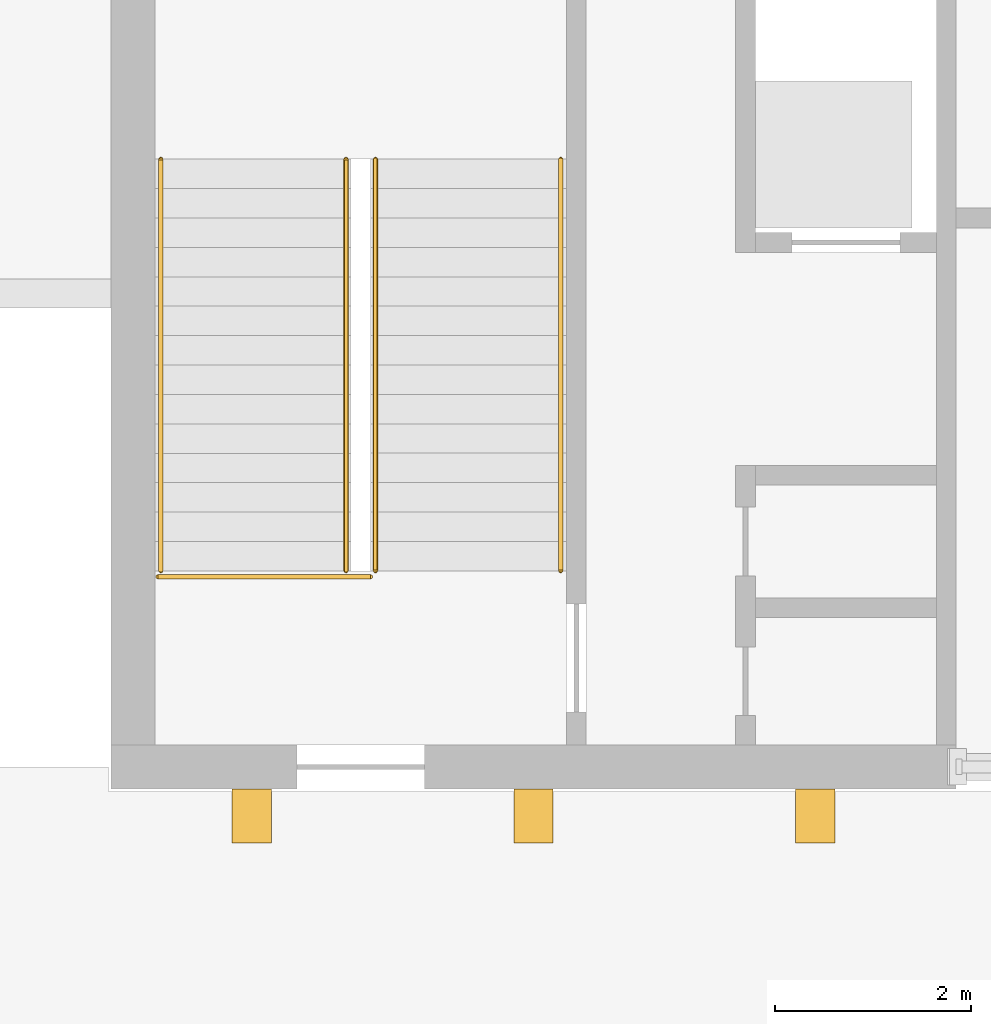
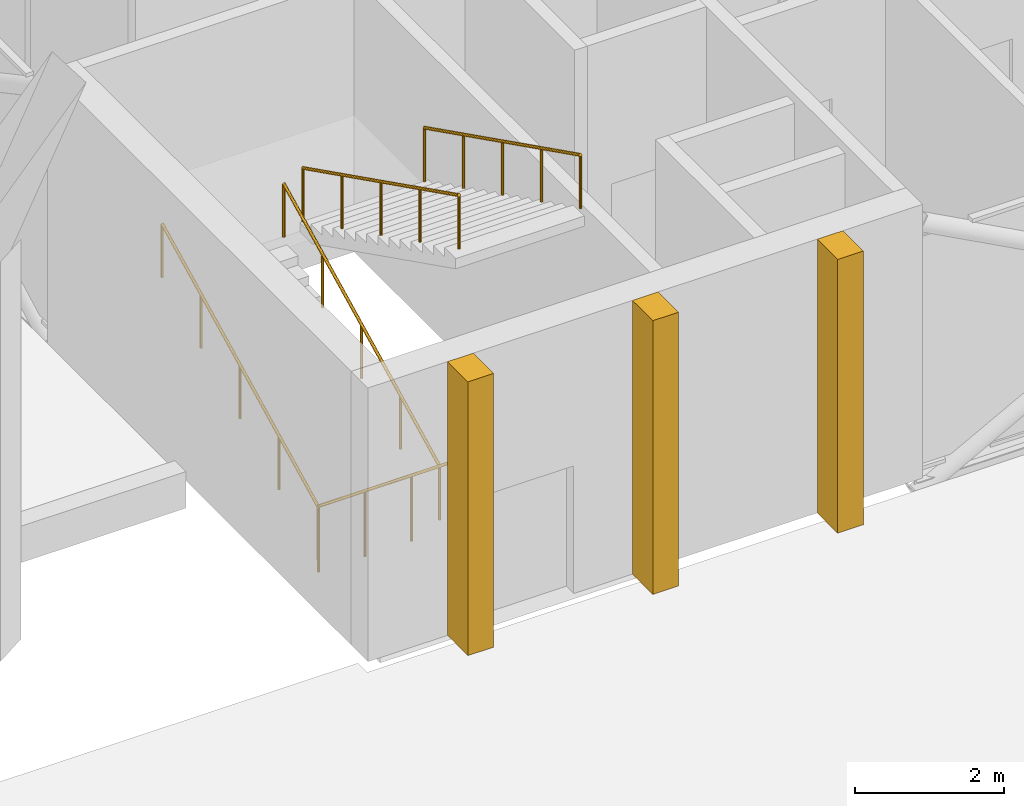
# One storey, part 111 of 116: 5 railings, 3 coverings.
"""IFC4 building model written with IfcOpenShell, lengths in metres."""

from ifc_helpers import new_model, si_unit, direction, frame, origin, origin_2d, place, context, subcontext, project, spatial, rectangle, circle, extrude, material, layer, layer_set, type_object, element, save


model = new_model("IFC4")

# Units and contexts
model_context = context("Model", 3, precision=1e-05, world=origin(), true_north=direction((0.0, 1.0)))
body_context = subcontext(model_context, "Body", "Model", "MODEL_VIEW")
ifc_project = project(units=[si_unit("LENGTHUNIT", "METRE"), si_unit("AREAUNIT", "SQUARE_METRE"), si_unit("VOLUMEUNIT", "CUBIC_METRE"), si_unit("PLANEANGLEUNIT", "RADIAN"), si_unit("MASSUNIT", "GRAM", prefix="KILO")], contexts=[model_context])

# Site, building, storey
site_placement = place(None, origin())
site = spatial("IfcSite", under=ifc_project, at=site_placement, CompositionType="ELEMENT")
building_placement = place(site_placement, origin())
building = spatial("IfcBuilding", under=site, at=building_placement, Name="Ardhachandra Cancer Care Centre", CompositionType="ELEMENT")
storey_placement = place(building_placement, origin())
storey = spatial("IfcBuildingStorey", under=building, at=storey_placement, Name="L00", CompositionType="ELEMENT", Elevation=0.0)

# Railing
ifc_material_1 = material(Name="Steel E250 (IS 2062)", Category="steel")
railing_type_1 = type_object("IfcRailingType", Name="Guard 1100", PredefinedType="GUARDRAIL", material=ifc_material_1)
railing_placement = place(storey_placement, frame((111.85498046875, 31.340087890625, 0.0)))
element("IfcRailing", 1, at=railing_placement, inside=storey, type_object=railing_type_1, Name="Stair well guard K11 L00", PredefinedType="GUARDRAIL", context=body_context, shape_type="SweptSolid", body=[
    extrude(circle(Radius=0.02392578125, at=origin_2d()), frame((0.0, 0.0, 1.076171875), z_axis=(1.0, 0.0, 0.0), x_axis=(0.0, 1.0, 0.0)), (0.0, 0.0, 1.0), 2.169921875),
    extrude(circle(Radius=0.02099609375, at=origin_2d()), origin(), (0.0, 0.0, 1.0), 1.052001953125),
    extrude(circle(Radius=0.02099609375, at=origin_2d()), frame((0.723388671875, 0.0, 0.0)), (0.0, 0.0, 1.0), 1.052001953125),
    extrude(circle(Radius=0.02099609375, at=origin_2d()), frame((1.446533203125, 0.0, 0.0)), (0.0, 0.0, 1.0), 1.052001953125),
    extrude(circle(Radius=0.02099609375, at=origin_2d()), frame((2.169921875, 0.0, 0.0)), (0.0, 0.0, 1.0), 1.052001953125),
])

# Coverings
ifc_material_2 = material(Name="Precast Concrete M25", Category="concrete")
ifc_layer = layer(ifc_material_2, 0.39990234375)
ifc_layer_set = layer_set([ifc_layer], Name="Precast Concrete M25")
covering_type = type_object("IfcCoveringType", Name="Precast concrete fin 400 x 550", PredefinedType="CLADDING", material=ifc_layer_set)
for number, where, z_axis, x_axis, name in (
    (2, (112.8125, 28.89990234375, 0.0), (0.0, 0.0, 1.0), (1.0, 0.0, 0.0), "Fin L00 core K11 1"),
    (3, (115.6875, 28.89990234375, 0.0), (0.0, 0.0, 1.0), (1.0, 0.0, 0.0), "Fin L00 core K11 2"),
    (4, (118.5625, 28.89990234375, 0.0), (0.0, 0.0, 1.0), (1.0, 0.0, 0.0), "Fin L00 core K11 3"),
):
    element("IfcCovering", number, at=place(storey_placement, frame(where, z_axis=z_axis, x_axis=x_axis)), inside=storey, type_object=covering_type, Name=name, PredefinedType="CLADDING", context=body_context, shape_type="SweptSolid", body=[
        extrude(rectangle(XDim=0.39990234375, YDim=0.550048828125, at=origin_2d()), origin(), (0.0, 0.0, 1.0), 4.5),
    ])

# Railings
ifc_material_3 = material(Name="Steel E250 (IS 2062)", Category="steel")
railing_type_2 = type_object("IfcRailingType", Name="Stair handrail 900", PredefinedType="HANDRAIL", material=ifc_material_3)
for number, where, name in (
    (5, (111.885009765625, 31.39990234375, 0.14990234375), "Handrail K11 L00-L01 flight 1 wall side"),
    (6, (113.77490234375, 31.39990234375, 0.14990234375), "Handrail K11 L00-L01 flight 1 well side"),
):
    element("IfcRailing", number, at=place(storey_placement, frame(where)), inside=storey, type_object=railing_type_2, Name=name, PredefinedType="HANDRAIL", context=body_context, shape_type="SweptSolid", body=[
        extrude(circle(Radius=0.02392578125, at=origin_2d()), frame((0.0, 0.0, 0.8759765625), z_axis=(0.0, 0.894427191, 0.4472135955), x_axis=(-1.0, 0.0, 0.0)), (0.0, 0.0, 1.0), 4.696044921875),
        extrude(circle(Radius=0.02099609375, at=origin_2d()), origin(), (0.0, 0.0, 1.0), 0.851806640625),
        extrude(circle(Radius=0.02099609375, at=origin_2d()), frame((0.0, 1.050048828125, 0.52490234375)), (0.0, 0.0, 1.0), 0.851806640625),
        extrude(circle(Radius=0.02099609375, at=origin_2d()), frame((0.0, 2.10009765625, 1.050048828125)), (0.0, 0.0, 1.0), 0.851806640625),
        extrude(circle(Radius=0.02099609375, at=origin_2d()), frame((0.0, 3.150146484375, 1.5751953125)), (0.0, 0.0, 1.0), 0.851806640625),
        extrude(circle(Radius=0.02099609375, at=origin_2d()), frame((0.0, 4.2001953125, 2.10009765625)), (0.0, 0.0, 1.0), 0.851806640625),
    ])
for number, where, name in (
    (7, (114.074951171875, 35.60009765625, 2.39990234375), "Handrail K11 L00-L01 flight 2 well side"),
    (8, (115.965087890625, 35.60009765625, 2.39990234375), "Handrail K11 L00-L01 flight 2 wall side"),
):
    element("IfcRailing", number, at=place(storey_placement, frame(where)), inside=storey, type_object=railing_type_2, Name=name, PredefinedType="HANDRAIL", context=body_context, shape_type="SweptSolid", body=[
        extrude(circle(Radius=0.02392578125, at=origin_2d()), frame((0.0, 0.0, 0.8759765625), z_axis=(0.0, -0.894427191, 0.4472135955), x_axis=(1.0, 0.0, 0.0)), (0.0, 0.0, 1.0), 4.696044921875),
        extrude(circle(Radius=0.02099609375, at=origin_2d()), origin(), (0.0, 0.0, 1.0), 0.851806640625),
        extrude(circle(Radius=0.02099609375, at=origin_2d()), frame((0.0, -1.050048828125, 0.52490234375)), (0.0, 0.0, 1.0), 0.851806640625),
        extrude(circle(Radius=0.02099609375, at=origin_2d()), frame((0.0, -2.10009765625, 1.050048828125)), (0.0, 0.0, 1.0), 0.851806640625),
        extrude(circle(Radius=0.02099609375, at=origin_2d()), frame((0.0, -3.150146484375, 1.5751953125)), (0.0, 0.0, 1.0), 0.851806640625),
        extrude(circle(Radius=0.02099609375, at=origin_2d()), frame((0.0, -4.2001953125, 2.10009765625)), (0.0, 0.0, 1.0), 0.851806640625),
    ])

save(model, "model.ifc")
